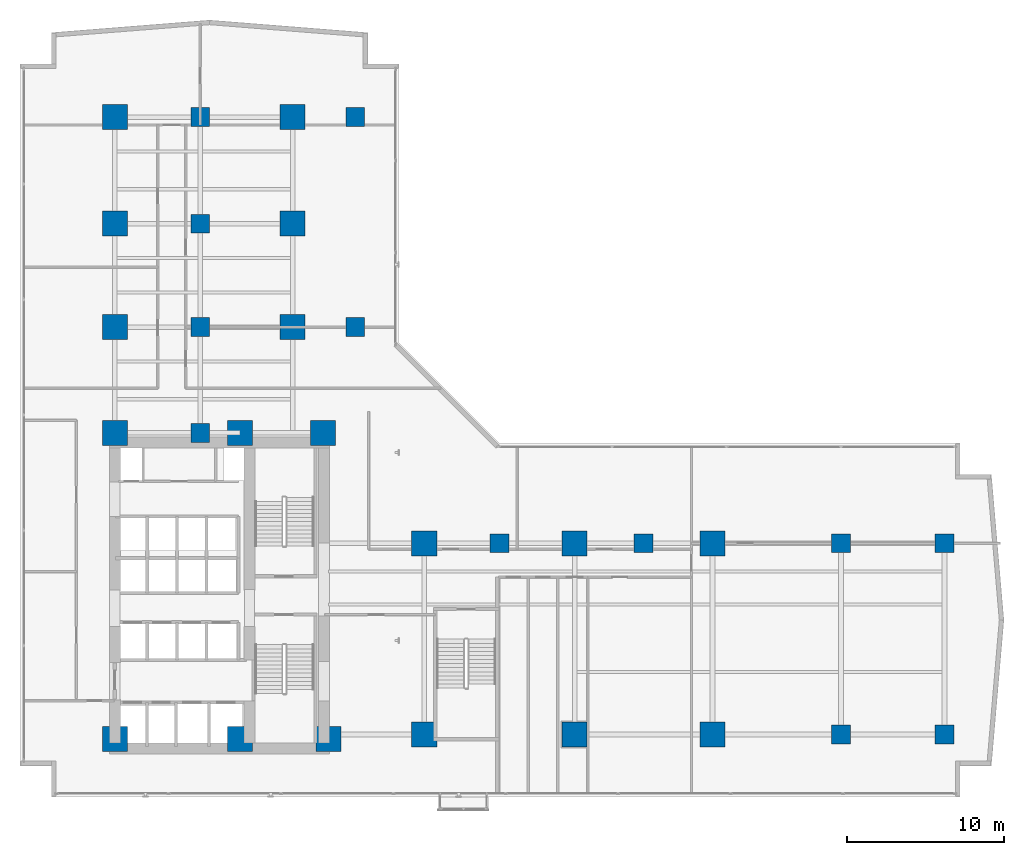
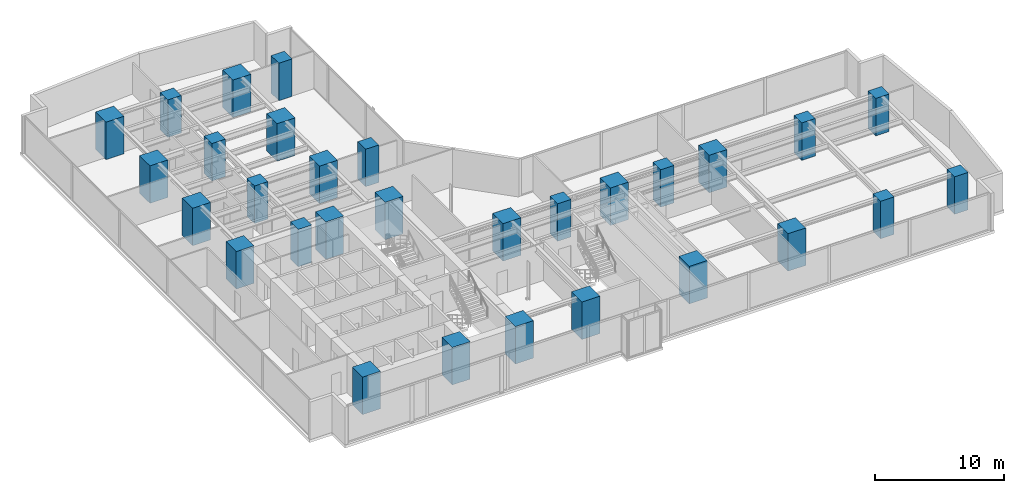
# One storey, part 1 of 27: 30 columns.
"""IFC4 building model written with IfcOpenShell, lengths in metres."""

from ifc_helpers import new_model, si_unit, direction, frame, origin, origin_2d, place, context, subcontext, project, spatial, rectangle, extrude, material, material_profile, profile_set, type_object, element, save


model = new_model("IFC4")

# Units and contexts
model_context = context("Model", 3, precision=1e-05, world=origin(), true_north=direction((0.0, 1.0)))
body_context = subcontext(model_context, "Body", "Model", "MODEL_VIEW")
ifc_project = project(units=[si_unit("LENGTHUNIT", "METRE"), si_unit("AREAUNIT", "SQUARE_METRE"), si_unit("VOLUMEUNIT", "CUBIC_METRE"), si_unit("PLANEANGLEUNIT", "RADIAN"), si_unit("MASSUNIT", "GRAM", prefix="KILO")], contexts=[model_context])

# Site, building, storey
site_placement = place(None, origin())
site = spatial("IfcSite", under=ifc_project, at=site_placement, CompositionType="ELEMENT")
building_placement = place(site_placement, origin())
building = spatial("IfcBuilding", under=site, at=building_placement, Name="Kolvaren Waterfront Exchange", CompositionType="ELEMENT")
storey_placement = place(building_placement, frame((0.0, 0.0, 33.39990234375)))
storey = spatial("IfcBuildingStorey", under=building, at=storey_placement, Name="L08", CompositionType="ELEMENT", Elevation=33.39990234375)

# Columns
ifc_material = material(Name="Concrete C70/85", Category="concrete")
ifc_material_profile_1 = material_profile(ifc_material, rectangle(XDim=1.199951171875, YDim=1.199951171875, at=origin_2d()), Name="RC-COL-1200x1200")
ifc_profile_set_1 = profile_set([ifc_material_profile_1], Name="Concrete C70/85")
column_type_1 = type_object("IfcColumnType", Name="STR-COL-1200-C70", PredefinedType="COLUMN", material=ifc_profile_set_1)
for number, where, z_axis, x_axis, name in (
    (1, (53.800048828125, 5.199951171875, 0.0), (0.0, 0.0, 1.0), (1.0, 0.0, 0.0), "L08 column ZC01"),
    (2, (53.800048828125, 17.39990234375, 0.0), (0.0, 0.0, 1.0), (1.0, 0.0, 0.0), "L08 column ZC02"),
    (3, (60.39990234375, 5.199951171875, 0.0), (0.0, 0.0, 1.0), (1.0, 0.0, 0.0), "L08 column ZC03"),
    (4, (60.39990234375, 17.39990234375, 0.0), (0.0, 0.0, 1.0), (1.0, 0.0, 0.0), "L08 column ZC04"),
    (5, (22.800048828125, 31.199951171875, 0.0), (0.0, 0.0, 1.0), (1.0, 0.0, 0.0), "L08 column ZC05"),
    (6, (22.800048828125, 44.60009765625, 0.0), (0.0, 0.0, 1.0), (1.0, 0.0, 0.0), "L08 column ZC06"),
    (7, (12.89990234375, 24.449951171875, 0.0), (0.0, 0.0, 1.0), (1.0, 0.0, 0.0), "L08 column TC01"),
    (8, (12.89990234375, 31.199951171875, 0.0), (0.0, 0.0, 1.0), (1.0, 0.0, 0.0), "L08 column TC02"),
    (9, (12.89990234375, 37.800048828125, 0.0), (0.0, 0.0, 1.0), (1.0, 0.0, 0.0), "L08 column TC03"),
    (10, (12.89990234375, 44.60009765625, 0.0), (0.0, 0.0, 1.0), (1.0, 0.0, 0.0), "L08 column TC04"),
    (11, (32.0, 17.39990234375, 0.0), (0.0, 0.0, 1.0), (1.0, 0.0, 0.0), "L08 column TC05"),
    (12, (41.199951171875, 17.39990234375, 0.0), (0.0, 0.0, 1.0), (1.0, 0.0, 0.0), "L08 column TC06"),
):
    element("IfcColumn", number, at=place(storey_placement, frame(where, z_axis=z_axis, x_axis=x_axis)), inside=storey, type_object=column_type_1, Name=name, PredefinedType="COLUMN", context=body_context, shape_type="SweptSolid", body=[
        extrude(rectangle(XDim=1.199951171875, YDim=1.199951171875, at=origin_2d()), origin(), (0.0, 0.0, 1.0), 3.5400390625),
    ])
ifc_material_profile_2 = material_profile(ifc_material, rectangle(XDim=1.60009765625, YDim=1.60009765625, at=origin_2d()), Name="RC-COL-1600x1600")
ifc_profile_set_2 = profile_set([ifc_material_profile_2], Name="Concrete C70/85")
column_type_2 = type_object("IfcColumnType", Name="STR-COL-1600-C70", PredefinedType="COLUMN", material=ifc_profile_set_2)
for number, where, z_axis, x_axis, name in (
    (13, (7.449951171875, 4.89990234375, 0.0), (0.0, 0.0, 1.0), (1.0, 0.0, 0.0), "L08 column MC01"),
    (14, (15.449951171875, 4.89990234375, 0.0), (0.0, 0.0, 1.0), (1.0, 0.0, 0.0), "L08 column MC02"),
    (15, (21.10009765625, 4.89990234375, 0.0), (0.0, 0.0, 1.0), (1.0, 0.0, 0.0), "L08 column MC03"),
    (16, (7.449951171875, 24.449951171875, 0.0), (0.0, 0.0, 1.0), (1.0, 0.0, 0.0), "L08 column MC04"),
    (17, (15.449951171875, 24.449951171875, 0.0), (0.0, 0.0, 1.0), (1.0, 0.0, 0.0), "L08 column MC05"),
    (18, (20.75, 24.449951171875, 0.0), (0.0, 0.0, 1.0), (1.0, 0.0, 0.0), "L08 column MC06"),
    (19, (7.449951171875, 31.199951171875, 0.0), (0.0, 0.0, 1.0), (1.0, 0.0, 0.0), "L08 column NC01"),
    (20, (7.449951171875, 37.800048828125, 0.0), (0.0, 0.0, 1.0), (1.0, 0.0, 0.0), "L08 column NC02"),
    (21, (7.449951171875, 44.60009765625, 0.0), (0.0, 0.0, 1.0), (1.0, 0.0, 0.0), "L08 column NC03"),
    (22, (18.800048828125, 31.199951171875, 0.0), (0.0, 0.0, 1.0), (1.0, 0.0, 0.0), "L08 column NC04"),
    (23, (18.800048828125, 37.800048828125, 0.0), (0.0, 0.0, 1.0), (1.0, 0.0, 0.0), "L08 column NC05"),
    (24, (18.800048828125, 44.60009765625, 0.0), (0.0, 0.0, 1.0), (1.0, 0.0, 0.0), "L08 column NC06"),
    (25, (27.199951171875, 5.199951171875, 0.0), (0.0, 0.0, 1.0), (1.0, 0.0, 0.0), "L08 column EC01"),
    (26, (36.800048828125, 5.199951171875, 0.0), (0.0, 0.0, 1.0), (1.0, 0.0, 0.0), "L08 column EC02"),
    (27, (45.60009765625, 5.199951171875, 0.0), (0.0, 0.0, 1.0), (1.0, 0.0, 0.0), "L08 column EC03"),
    (28, (27.199951171875, 17.39990234375, 0.0), (0.0, 0.0, 1.0), (1.0, 0.0, 0.0), "L08 column EC04"),
    (29, (36.800048828125, 17.39990234375, 0.0), (0.0, 0.0, 1.0), (1.0, 0.0, 0.0), "L08 column EC05"),
    (30, (45.60009765625, 17.39990234375, 0.0), (0.0, 0.0, 1.0), (1.0, 0.0, 0.0), "L08 column EC06"),
):
    element("IfcColumn", number, at=place(storey_placement, frame(where, z_axis=z_axis, x_axis=x_axis)), inside=storey, type_object=column_type_2, Name=name, PredefinedType="COLUMN", context=body_context, shape_type="SweptSolid", body=[
        extrude(rectangle(XDim=1.60009765625, YDim=1.60009765625, at=origin_2d()), origin(), (0.0, 0.0, 1.0), 3.5400390625),
    ])

save(model, "model.ifc")
